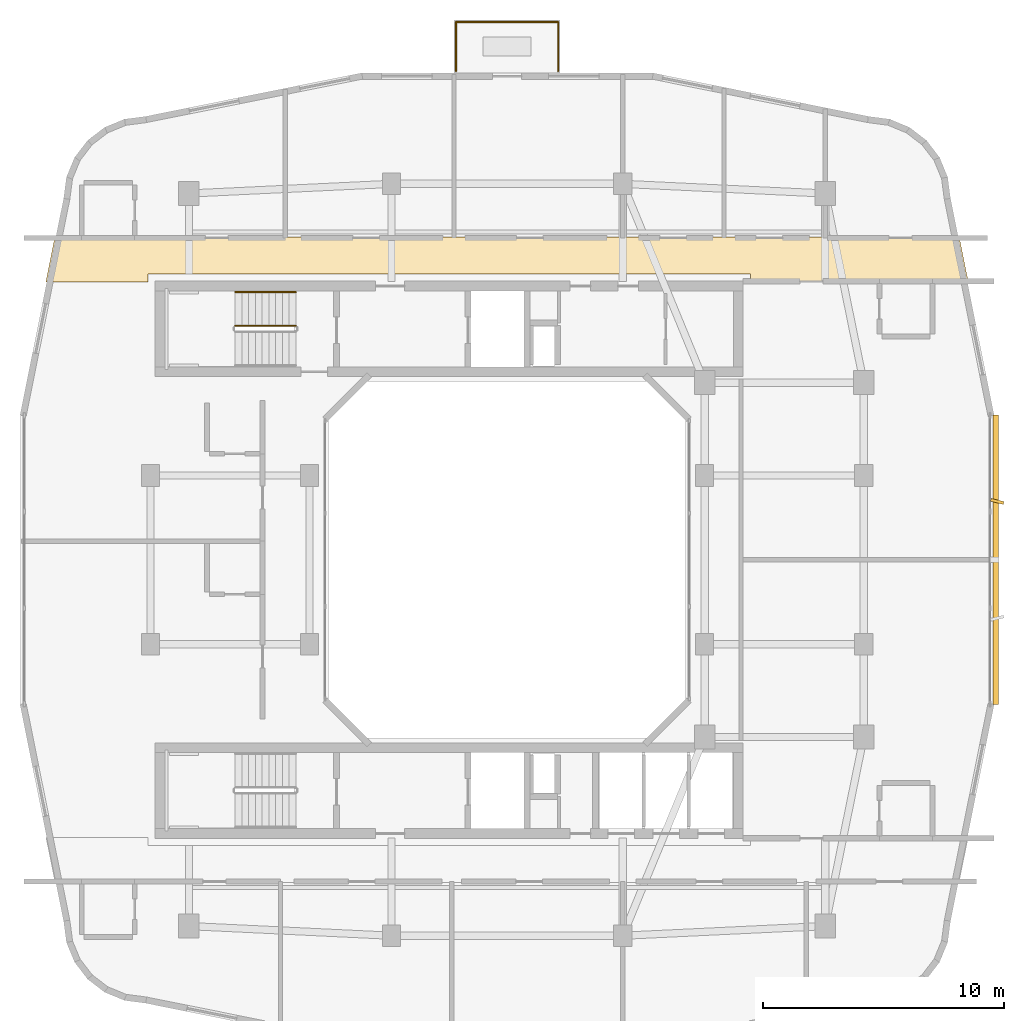
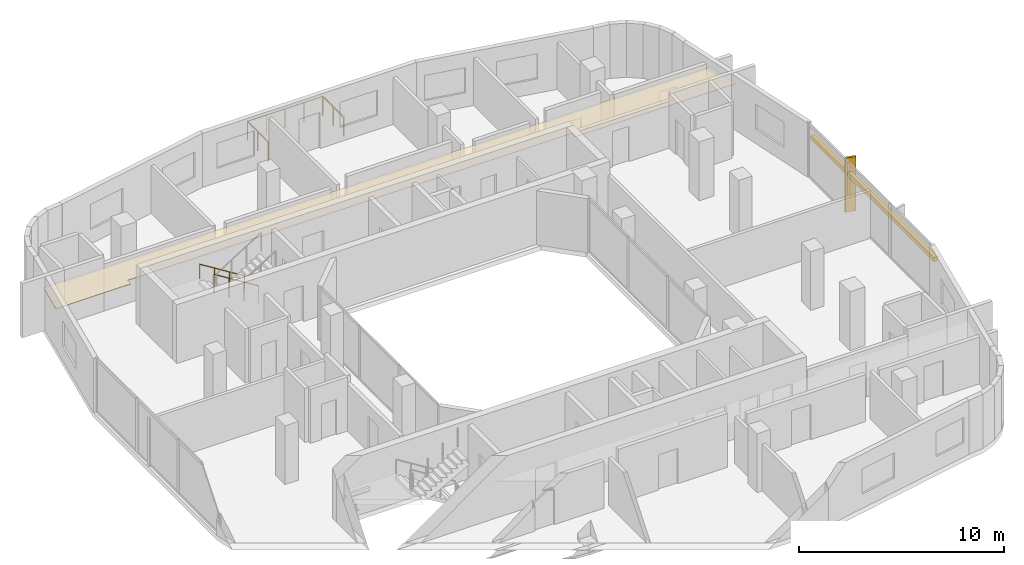
# One storey, part 12 of 12: 5 railings, 2 shading devices, 1 covering.
"""IFC4 building model written with IfcOpenShell, lengths in metres."""

import ifcopenshell
import ifcopenshell.guid

model = None  # the IFC model being written
_history = None  # IfcOwnerHistory: only IFC2X3 demands one
_inside = {}  # id of a spatial element -> (the spatial element, [elements in it])
_under = {}  # id of a project, library or spatial element -> (it, [spatial elements below it])
_declared = {}  # id of a project -> (the project, [libraries it declares])
_typed = {}  # id of a type object -> (the type object, [elements of that type])
_made_of = {}  # id of a material, layer set ... -> (it, [elements and type objects made of it])


def new_model(schema):
    """Start an empty IFC model of exactly this schema.

    Asked for "IFC4X3", IfcOpenShell would pick the latest addendum, in which some entities
    have other attributes; the version numbers below select the first issue.
    IFC2X3 requires an IfcOwnerHistory on every rooted entity: one is made here for all.
    """
    global model, _history
    if schema == "IFC4X3":
        model = ifcopenshell.file(schema_version=(4, 3, 0, 0))
    else:
        model = ifcopenshell.file(schema=schema)
    _inside.clear()
    _under.clear()
    _declared.clear()
    _typed.clear()
    _made_of.clear()
    _history = None
    if model.schema == "IFC2X3":
        org = make("IfcOrganization", Name="unknown")
        user = make(
            "IfcPersonAndOrganization",
            ThePerson=make("IfcPerson", FamilyName="unknown"),
            TheOrganization=org,
        )
        app = make(
            "IfcApplication",
            ApplicationDeveloper=org,
            Version="unknown",
            ApplicationFullName="unknown",
            ApplicationIdentifier="unknown",
        )
        _history = make(
            "IfcOwnerHistory",
            OwningUser=user,
            OwningApplication=app,
            ChangeAction="ADDED",
            CreationDate=0,
        )
    return model


def make(cls, **values):
    """One entity of the class cls with the attributes given. An attribute that is None is left unset."""
    return model.create_entity(
        cls, **{name: value for name, value in values.items() if value is not None}
    )


def rooted(cls, **values):
    """An entity with a GlobalId (a new one), such as an element, a storey or a relation."""
    return make(cls, GlobalId=ifcopenshell.guid.new(), OwnerHistory=_history, **values)


def si_unit(unit_type, name, prefix=None):
    """IfcSIUnit, for example si_unit("LENGTHUNIT", "METRE", prefix="MILLI")."""
    return make("IfcSIUnit", UnitType=unit_type, Prefix=prefix, Name=name)


def derived_unit(unit_type, elements):
    """IfcDerivedUnit: a product of units, each with its exponent."""
    return make(
        "IfcDerivedUnit",
        Elements=[
            make("IfcDerivedUnitElement", Unit=unit, Exponent=power)
            for unit, power in elements
        ],
        UnitType=unit_type,
    )


def assignment(units):
    """IfcUnitAssignment: the units of a project."""
    return None if units is None else make("IfcUnitAssignment", Units=units)


def point(xyz):
    """IfcCartesianPoint."""
    return None if xyz is None else make("IfcCartesianPoint", Coordinates=xyz)


def direction(xyz):
    """IfcDirection."""
    return None if xyz is None else make("IfcDirection", DirectionRatios=xyz)


def frame(location, z_axis=None, x_axis=None):
    """IfcAxis2Placement3D, a coordinate frame: its origin and axes. An axis left out is left unset."""
    return make(
        "IfcAxis2Placement3D",
        Location=point(location),
        Axis=direction(z_axis),
        RefDirection=direction(x_axis),
    )


def frame_2d(location, x_axis=None):
    """IfcAxis2Placement2D, a coordinate frame in the plane: its origin and x axis."""
    return make(
        "IfcAxis2Placement2D", Location=point(location), RefDirection=direction(x_axis)
    )


def origin():
    """The frame at (0, 0, 0) with its axes left unset."""
    return frame((0.0, 0.0, 0.0))


def origin_2d():
    """The frame at (0, 0) in the plane with its x axis left unset."""
    return frame_2d((0.0, 0.0))


def place(relative_to, where):
    """IfcLocalPlacement: puts the frame where relative to a parent placement (None: the world)."""
    return make(
        "IfcLocalPlacement", PlacementRelTo=relative_to, RelativePlacement=where
    )


def context(
    kind, dimensions, precision=None, world=None, true_north=None, identifier=None
):
    """IfcGeometricRepresentationContext, for example the 3D "Model" context."""
    return make(
        "IfcGeometricRepresentationContext",
        ContextIdentifier=identifier,
        ContextType=kind,
        CoordinateSpaceDimension=dimensions,
        Precision=precision,
        WorldCoordinateSystem=world,
        TrueNorth=true_north,
    )


def subcontext(parent, identifier, kind, view, scale=None):
    """IfcGeometricRepresentationSubContext, for example "Body" below "Model"."""
    return make(
        "IfcGeometricRepresentationSubContext",
        ContextIdentifier=identifier,
        ContextType=kind,
        ParentContext=parent,
        TargetScale=scale,
        TargetView=view,
    )


def project(units=None, contexts=None):
    """IfcProject with its units and contexts."""
    return rooted(
        "IfcProject",
        Name="project",
        RepresentationContexts=contexts,
        UnitsInContext=assignment(units),
    )


def spatial(cls, under=None, at=None, **own):
    """A site, building, storey or space (cls), placed at a placement, below another one or the project."""
    s = rooted(cls, ObjectPlacement=at, **own)
    if under is not None:
        _under.setdefault(under.id(), (under, []))[1].append(s)
    return s


def polyline(points):
    """IfcPolyline through the points."""
    return make("IfcPolyline", Points=[point(p) for p in points])


def profile(cls, at=None, kind="AREA", **sizes):
    """A parametric profile (cls). Its sizes go by their IFC names, for example OverallWidth=200.0."""
    return make(cls, ProfileType=kind, Position=at, **sizes)


def rectangle(**sizes):
    """IfcRectangleProfileDef."""
    return profile("IfcRectangleProfileDef", **sizes)


def circle(**sizes):
    """IfcCircleProfileDef."""
    return profile("IfcCircleProfileDef", **sizes)


def outline(outer, holes=None, kind="AREA"):
    """IfcArbitraryClosedProfileDef: a profile drawn as a closed curve; with holes, ...WithVoids."""
    if holes is None:
        return make("IfcArbitraryClosedProfileDef", ProfileType=kind, OuterCurve=outer)
    return make(
        "IfcArbitraryProfileDefWithVoids",
        ProfileType=kind,
        OuterCurve=outer,
        InnerCurves=holes,
    )


def extrude(swept, where, along, depth):
    """IfcExtrudedAreaSolid: the profile swept, set in the frame where, extruded along a direction by depth."""
    return make(
        "IfcExtrudedAreaSolid",
        SweptArea=swept,
        Position=where,
        ExtrudedDirection=direction(along),
        Depth=depth,
    )


def shape(context_of_items, identifier, shape_type, items):
    """IfcShapeRepresentation: the items that make up one representation, for example the "Body"."""
    return make(
        "IfcShapeRepresentation",
        ContextOfItems=context_of_items,
        RepresentationIdentifier=identifier,
        RepresentationType=shape_type,
        Items=items,
    )


def material(Name=None, Category=None):
    """IfcMaterial."""
    return make("IfcMaterial", Name=Name, Category=Category)


def layer(
    of_material, thickness, ventilated=None, Name=None, Category=None, Priority=None
):
    """IfcMaterialLayer: one layer of a wall or slab, of a material (None: an air gap)."""
    return make(
        "IfcMaterialLayer",
        Material=of_material,
        LayerThickness=thickness,
        IsVentilated=ventilated,
        Name=Name,
        Category=Category,
        Priority=Priority,
    )


def layer_set(layers, Name=None):
    """IfcMaterialLayerSet."""
    return make("IfcMaterialLayerSet", MaterialLayers=layers, LayerSetName=Name)


def made_of(thing, what):
    """Note that an element or type object is made of a material, layer set ...; save() writes the relation."""
    if what is not None:
        _made_of.setdefault(what.id(), (what, []))[1].append(thing)
    return thing


def type_object(cls, material=None, **own):
    """A type object (cls), such as IfcWallType, which elements share."""
    return made_of(rooted(cls, **own), material)


def element(
    cls,
    number,
    at=None,
    inside=None,
    cuts=None,
    type_object=None,
    material=None,
    context=None,
    identifier="Body",
    shape_type=None,
    held_by="IfcProductDefinitionShape",
    body=None,
    shapes=None,
    **own,
):
    """One element of the class cls, such as IfcWall. Its Tag is "e" and its number.

    at: its placement. inside: the storey or other place that contains it. cuts: it is an
    opening in that element (IfcRelVoidsElement). A single representation is given by context,
    identifier, shape_type and body (its items); several are given by shapes. held_by: the class
    of the entity that holds the representations. save() writes the other relations.
    """
    e = rooted(cls, Tag="e%d" % number, ObjectPlacement=at, **own)
    if body is not None:
        shapes = [shape(context, identifier, shape_type, body)]
    if shapes is not None:
        e.Representation = make(held_by, Representations=shapes)
    if inside is not None:
        _inside.setdefault(inside.id(), (inside, []))[1].append(e)
    if cuts is not None:
        rooted(
            "IfcRelVoidsElement", RelatingBuildingElement=cuts, RelatedOpeningElement=e
        )
    if type_object is not None:
        _typed.setdefault(type_object.id(), (type_object, []))[1].append(e)
    return made_of(e, material)


def aggregate(whole, parts):
    """IfcRelAggregates: a whole, such as a stair, and the parts it consists of."""
    return rooted("IfcRelAggregates", RelatingObject=whole, RelatedObjects=parts)


def save(model, path):
    """Write the relations noted so far, then the file.

    IfcRelAggregates (storeys below a building ...), IfcRelContainedInSpatialStructure (elements
    in a storey), IfcRelDefinesByType, IfcRelAssociatesMaterial and IfcRelDeclares: one each for
    every whole, place, type object, material and project.
    """
    for whole, parts in _under.values():
        aggregate(whole, parts)
    for where, things in _inside.values():
        rooted(
            "IfcRelContainedInSpatialStructure",
            RelatedElements=things,
            RelatingStructure=where,
        )
    for kind, things in _typed.values():
        rooted("IfcRelDefinesByType", RelatedObjects=things, RelatingType=kind)
    for what, things in _made_of.values():
        rooted("IfcRelAssociatesMaterial", RelatedObjects=things, RelatingMaterial=what)
    for by, libraries in _declared.values():
        rooted("IfcRelDeclares", RelatingContext=by, RelatedDefinitions=libraries)
    model.write(path)


model = new_model("IFC4")

# Units and contexts
model_context = context("Model", 3, precision=1e-05, world=origin(), true_north=direction((0.0, 1.0)))
body_context = subcontext(model_context, "Body", "Model", "MODEL_VIEW")
ifc_project = project(units=[si_unit("LENGTHUNIT", "METRE"), si_unit("AREAUNIT", "SQUARE_METRE"), si_unit("VOLUMEUNIT", "CUBIC_METRE"), si_unit("PLANEANGLEUNIT", "RADIAN"), si_unit("MASSUNIT", "GRAM", prefix="KILO"), derived_unit("THERMALTRANSMITTANCEUNIT", [(si_unit("POWERUNIT", "WATT"), 1), (si_unit("LENGTHUNIT", "METRE"), -2), (si_unit("THERMODYNAMICTEMPERATUREUNIT", "KELVIN"), -1)])], contexts=[model_context])

# Site, building, storey
site_placement = place(None, origin())
site = spatial("IfcSite", under=ifc_project, at=site_placement, CompositionType="ELEMENT")
building_placement = place(site_placement, origin())
building = spatial("IfcBuilding", under=site, at=building_placement, Name="Kivonza Crest Hotel", CompositionType="ELEMENT")
storey_placement = place(building_placement, frame((0.0, 0.0, 166.0)))
storey = spatial("IfcBuildingStorey", under=building, at=storey_placement, Name="L45", CompositionType="ELEMENT", Elevation=166.0)

# Covering
ifc_material_1 = material(Name="Moisture-resistant gypsum plasterboard ceiling", Category="gypsum")
ifc_layer = layer(ifc_material_1, 0.030029296875)
ifc_layer_set = layer_set([ifc_layer], Name="Moisture-resistant gypsum plasterboard ceiling")
covering_type = type_object("IfcCoveringType", Name="CV-CEIL-GYP", PredefinedType="CEILING", material=ifc_layer_set)
covering_placement = place(storey_placement, frame((0.0, 0.0, 2.449951171875)))
element("IfcCovering", 1, at=covering_placement, inside=storey, type_object=covering_type, Name="L45 Hotel North Guest Corridor suspended ceiling", PredefinedType="CEILING", context=body_context, shape_type="SweptSolid", body=[
    extrude(outline(polyline([(2.235107421875, 38.389892578125), (1.85791015625, 36.52001953125), (6.10009765625, 36.52001953125), (6.10009765625, 36.860107421875), (31.10009765625, 36.860107421875), (31.10009765625, 36.52001953125), (40.14208984375, 36.52001953125), (39.764892578125, 38.389892578125), (2.235107421875, 38.389892578125)])), origin(), (0.0, 0.0, 1.0), 0.030029296875),
])

# Railings
ifc_material_2 = material(Name="Brushed stainless steel handrail", Category="steel")
railing_type_1 = type_object("IfcRailingType", Name="RL-HAND-900", PredefinedType="HANDRAIL", material=ifc_material_2)
railing_1_placement = place(storey_placement, frame((12.239990234375, 36.110107421875, 0.175048828125)))
element("IfcRailing", 2, at=railing_1_placement, inside=storey, type_object=railing_type_1, Name="L45 ST-T1-N stair handrail 1", PredefinedType="HANDRAIL", context=body_context, shape_type="SweptSolid", body=[
    extrude(circle(Radius=0.02392578125, at=origin_2d()), frame((0.0, 0.0, 0.8759765625), z_axis=(-0.848007534815, 0.0, 0.529984170421), x_axis=(0.0, -1.0, 0.0)), (0.0, 0.0, 1.0), 2.9716796875),
    extrude(circle(Radius=0.02099609375, at=origin_2d()), origin(), (0.0, 0.0, 1.0), 0.851806640625),
    extrude(circle(Radius=0.02099609375, at=origin_2d()), frame((-0.840087890625, 0.0, 0.52490234375)), (0.0, 0.0, 1.0), 0.851806640625),
    extrude(circle(Radius=0.02099609375, at=origin_2d()), frame((-1.679931640625, 0.0, 1.050048828125)), (0.0, 0.0, 1.0), 0.851806640625),
    extrude(circle(Radius=0.02099609375, at=origin_2d()), frame((-2.52001953125, 0.0, 1.574951171875)), (0.0, 0.0, 1.0), 0.851806640625),
])
ifc_material_3 = material(Name="Painted steel balustrade", Category="steel")
railing_type_2 = type_object("IfcRailingType", Name="RL-STAIR-1150", PredefinedType="BALUSTRADE", material=ifc_material_3)
railing_2_placement = place(storey_placement, frame((12.239990234375, 34.7099609375, 0.175048828125)))
element("IfcRailing", 3, at=railing_2_placement, inside=storey, type_object=railing_type_2, Name="L45 ST-T1-N stair guard 1", PredefinedType="BALUSTRADE", context=body_context, shape_type="SweptSolid", body=[
    extrude(circle(Radius=0.02392578125, at=origin_2d()), frame((0.0, 0.0, 1.1259765625), z_axis=(-0.848007534815, 0.0, 0.529984170421), x_axis=(0.0, -1.0, 0.0)), (0.0, 0.0, 1.0), 2.9716796875),
    extrude(circle(Radius=0.02099609375, at=origin_2d()), origin(), (0.0, 0.0, 1.0), 1.101806640625),
    extrude(circle(Radius=0.02099609375, at=origin_2d()), frame((-0.840087890625, 0.0, 0.52490234375)), (0.0, 0.0, 1.0), 1.101806640625),
    extrude(circle(Radius=0.02099609375, at=origin_2d()), frame((-1.679931640625, 0.0, 1.050048828125)), (0.0, 0.0, 1.0), 1.101806640625),
    extrude(circle(Radius=0.02099609375, at=origin_2d()), frame((-2.52001953125, 0.0, 1.574951171875)), (0.0, 0.0, 1.0), 1.101806640625),
])
ifc_material_4 = material(Name="Laminated glass and stainless steel balustrade", Category="steel")
railing_type_3 = type_object("IfcRailingType", Name="RL-TERR-1150", PredefinedType="BALUSTRADE", material=ifc_material_4)
railing_3_placement = place(storey_placement, frame((18.8798828125, 45.280029296875, 0.0)))
element("IfcRailing", 4, at=railing_3_placement, inside=storey, type_object=railing_type_3, Name="L45 T1-L45-SG-NE perimeter safety balustrade 1", PredefinedType="BALUSTRADE", context=body_context, shape_type="SweptSolid", body=[
    extrude(circle(Radius=0.02392578125, at=origin_2d()), frame((0.0, 0.0, 1.1259765625), z_axis=(0.0, 1.0, 0.0), x_axis=(-1.0, 0.0, 0.0)), (0.0, 0.0, 1.0), 2.0400390625),
    extrude(circle(Radius=0.02099609375, at=origin_2d()), origin(), (0.0, 0.0, 1.0), 1.101806640625),
    extrude(circle(Radius=0.02099609375, at=origin_2d()), frame((0.0, 1.02001953125, 0.0)), (0.0, 0.0, 1.0), 1.101806640625),
    extrude(circle(Radius=0.02099609375, at=origin_2d()), frame((0.0, 2.0400390625, 0.0)), (0.0, 0.0, 1.0), 1.101806640625),
])
railing_4_placement = place(storey_placement, frame((18.8798828125, 47.320068359375, 0.0)))
element("IfcRailing", 5, at=railing_4_placement, inside=storey, type_object=railing_type_3, Name="L45 T1-L45-SG-NE perimeter safety balustrade 2", PredefinedType="BALUSTRADE", context=body_context, shape_type="SweptSolid", body=[
    extrude(circle(Radius=0.02392578125, at=origin_2d()), frame((0.0, 0.0, 1.1259765625), z_axis=(1.0, 0.0, 0.0), x_axis=(0.0, 1.0, 0.0)), (0.0, 0.0, 1.0), 4.240234375),
    extrude(circle(Radius=0.02099609375, at=origin_2d()), origin(), (0.0, 0.0, 1.0), 1.101806640625),
    extrude(circle(Radius=0.02099609375, at=origin_2d()), frame((1.06005859375, 0.0, 0.0)), (0.0, 0.0, 1.0), 1.101806640625),
    extrude(circle(Radius=0.02099609375, at=origin_2d()), frame((2.1201171875, 0.0, 0.0)), (0.0, 0.0, 1.0), 1.101806640625),
    extrude(circle(Radius=0.02099609375, at=origin_2d()), frame((3.18017578125, 0.0, 0.0)), (0.0, 0.0, 1.0), 1.101806640625),
    extrude(circle(Radius=0.02099609375, at=origin_2d()), frame((4.240234375, 0.0, 0.0)), (0.0, 0.0, 1.0), 1.101806640625),
])
railing_5_placement = place(storey_placement, frame((23.1201171875, 47.320068359375, 0.0)))
element("IfcRailing", 6, at=railing_5_placement, inside=storey, type_object=railing_type_3, Name="L45 T1-L45-SG-NE perimeter safety balustrade 3", PredefinedType="BALUSTRADE", context=body_context, shape_type="SweptSolid", body=[
    extrude(circle(Radius=0.02392578125, at=origin_2d()), frame((0.0, 0.0, 1.1259765625), z_axis=(0.0, -1.0, 0.0), x_axis=(1.0, 0.0, 0.0)), (0.0, 0.0, 1.0), 2.0400390625),
    extrude(circle(Radius=0.02099609375, at=origin_2d()), origin(), (0.0, 0.0, 1.0), 1.101806640625),
    extrude(circle(Radius=0.02099609375, at=origin_2d()), frame((0.0, -1.02001953125, 0.0)), (0.0, 0.0, 1.0), 1.101806640625),
    extrude(circle(Radius=0.02099609375, at=origin_2d()), frame((0.0, -2.0400390625, 0.0)), (0.0, 0.0, 1.0), 1.101806640625),
])

# Shading devices
ifc_material_5 = material(Name="Kiln-fired Nairobi red-ochre terracotta", Category="masonry")
shading_device_type_1 = type_object("IfcShadingDeviceType", Name="SH-BAGUETTE-300", PredefinedType="USERDEFINED", material=ifc_material_5)
shading_device_1_placement = place(storey_placement, frame((41.280029296875, 25.0, 2.1240234375), z_axis=(0.0, 0.0, 1.0), x_axis=(0.0, 1.0, 0.0)))
element("IfcShadingDevice", 7, at=shading_device_1_placement, inside=storey, type_object=shading_device_type_1, Name="L45 terracotta baguette screen CW-T1-L45-17", ObjectType="BAGUETTE", PredefinedType="USERDEFINED", context=body_context, shape_type="SweptSolid", body=[
    extrude(rectangle(XDim=12.0, YDim=0.219970703125, at=origin_2d()), origin(), (0.0, 0.0, 1.0), 0.260009765625),
])
ifc_material_6 = material(Name="Kiln-fired terracotta over extruded aluminium spine", Category="masonry")
shading_device_type_2 = type_object("IfcShadingDeviceType", Name="SH-FIN-550", PredefinedType="USERDEFINED", material=ifc_material_6)
shading_device_2_placement = place(storey_placement, frame((41.340087890625, 27.424072265625, 0.0), z_axis=(0.0, 0.0, 1.0), x_axis=(0.2419218956, 0.970295726276, 0.0)))
element("IfcShadingDevice", 8, at=shading_device_2_placement, inside=storey, type_object=shading_device_type_2, Name="L45 vertical solar shading fin CW-T1-L45-17-2", ObjectType="FIN", PredefinedType="USERDEFINED", context=body_context, shape_type="SweptSolid", body=[
    extrude(rectangle(XDim=0.1201171875, YDim=0.550048828125, at=origin_2d()), origin(), (0.0, 0.0, 1.0), 3.219970703125),
])

save(model, "model.ifc")
